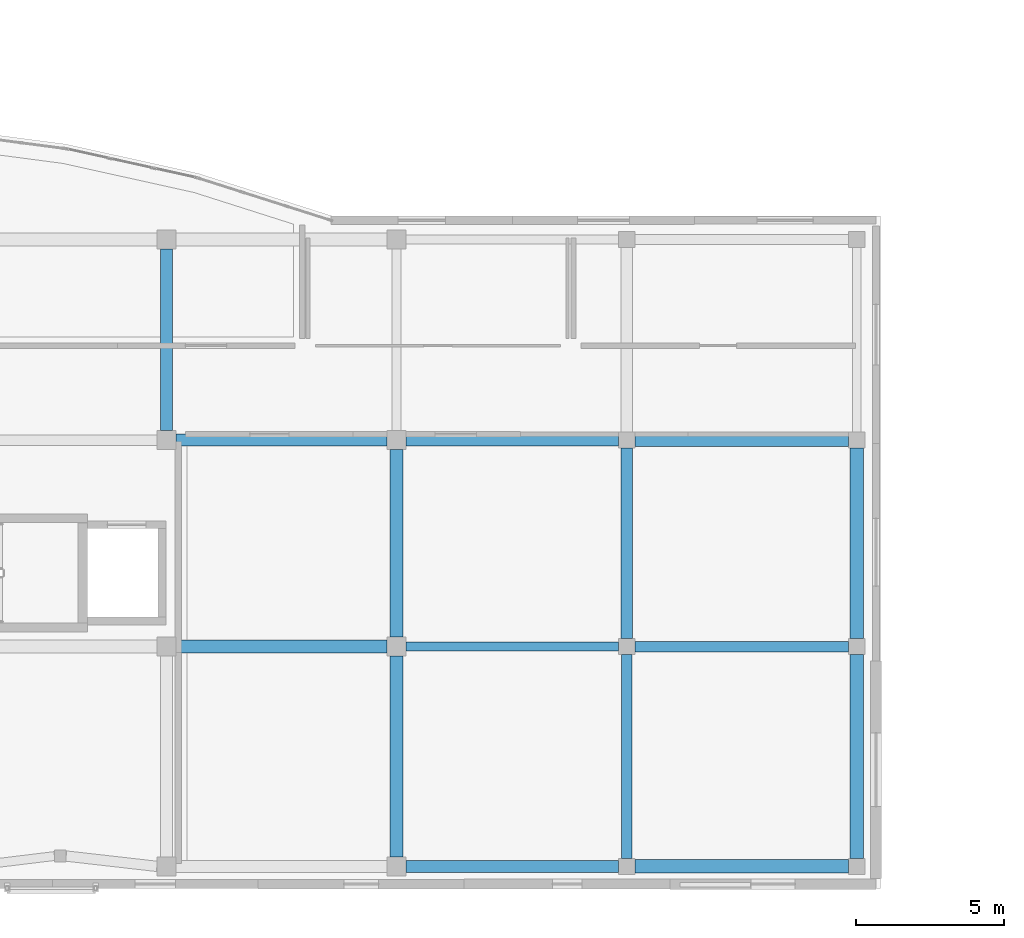
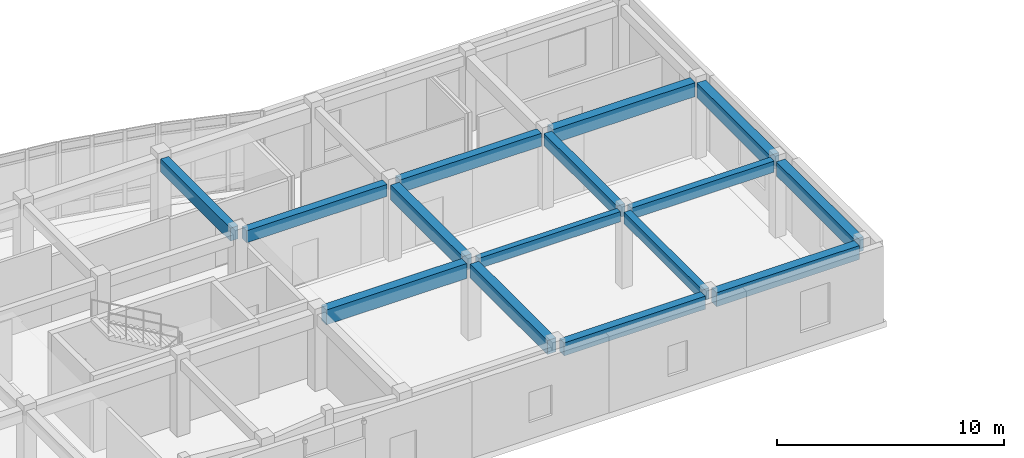
# One storey, part 50 of 142: 15 beams.
"""IFC4 building model written with IfcOpenShell, lengths in metres."""

from ifc_helpers import new_model, si_unit, direction, frame, origin, origin_2d, place, context, subcontext, project, spatial, rectangle, extrude, material, material_profile, profile_set, type_object, element, save


model = new_model("IFC4")

# Units and contexts
model_context = context("Model", 3, precision=1e-05, world=origin(), true_north=direction((0.0, 1.0)))
body_context = subcontext(model_context, "Body", "Model", "MODEL_VIEW")
ifc_project = project(units=[si_unit("LENGTHUNIT", "METRE"), si_unit("AREAUNIT", "SQUARE_METRE"), si_unit("VOLUMEUNIT", "CUBIC_METRE"), si_unit("PLANEANGLEUNIT", "RADIAN"), si_unit("MASSUNIT", "GRAM", prefix="KILO")], contexts=[model_context])

# Site, building, storey
site_placement = place(None, origin())
site = spatial("IfcSite", under=ifc_project, at=site_placement, CompositionType="ELEMENT")
building_placement = place(site_placement, origin())
building = spatial("IfcBuilding", under=site, at=building_placement, Name="Valcora Specialist Clinic", CompositionType="ELEMENT")
storey_placement = place(building_placement, frame((0.0, 0.0, 5.10009765625)))
storey = spatial("IfcBuildingStorey", under=building, at=storey_placement, Name="L01", CompositionType="ELEMENT", Elevation=5.10009765625)

# Beams
ifc_material = material(Name="Concrete C40/50", Category="concrete")
ifc_material_profile_1 = material_profile(ifc_material, rectangle(XDim=0.300048828125, YDim=0.550048828125, at=origin_2d()), Name="RC-BM-300X550")
ifc_profile_set_1 = profile_set([ifc_material_profile_1], Name="Concrete C40/50")
beam_type_1 = type_object("IfcBeamType", Name="TY-BM-RC300X550", PredefinedType="BEAM", material=ifc_profile_set_1)
beam_1_placement = place(storey_placement, frame((107.52490234375, 8.199951171875, 3.829833984375), z_axis=(1.0, 0.0, 0.0), x_axis=(0.0, 1.0, 0.0)))
element("IfcBeam", 1, at=beam_1_placement, inside=storey, type_object=beam_type_1, Name="Beam BM-L01-1309", PredefinedType="BEAM", context=body_context, shape_type="SweptSolid", body=[
    extrude(rectangle(XDim=0.300048828125, YDim=0.550048828125, at=origin_2d()), origin(), (0.0, 0.0, 1.0), 7.2001953125),
])
ifc_material_profile_2 = material_profile(ifc_material, rectangle(XDim=0.35009765625, YDim=0.60009765625, at=origin_2d()), Name="RC-BM-350X600")
ifc_profile_set_2 = profile_set([ifc_material_profile_2], Name="Concrete C40/50")
beam_type_2 = type_object("IfcBeamType", Name="TY-BM-RC350X600", PredefinedType="BEAM", material=ifc_profile_set_2)
beam_2_placement = place(storey_placement, frame((115.27490234375, 8.199951171875, 3.804931640625), z_axis=(1.0, 0.0, 0.0), x_axis=(0.0, 1.0, 0.0)))
element("IfcBeam", 2, at=beam_2_placement, inside=storey, type_object=beam_type_2, Name="Beam BM-L01-1310", PredefinedType="BEAM", context=body_context, shape_type="SweptSolid", body=[
    extrude(rectangle(XDim=0.35009765625, YDim=0.60009765625, at=origin_2d()), origin(), (0.0, 0.0, 1.0), 7.25),
])
beam_3_placement = place(storey_placement, frame((115.0, 1.02490234375, 3.804931640625), z_axis=(0.0, 1.0, 0.0), x_axis=(-1.0, 0.0, 0.0)))
element("IfcBeam", 3, at=beam_3_placement, inside=storey, type_object=beam_type_2, Name="Beam BM-L01-1350", PredefinedType="BEAM", context=body_context, shape_type="SweptSolid", body=[
    extrude(rectangle(XDim=0.35009765625, YDim=0.60009765625, at=origin_2d()), origin(), (0.0, 0.0, 1.0), 6.900146484375),
])
ifc_material_profile_3 = material_profile(ifc_material, rectangle(XDim=0.39990234375, YDim=0.64990234375, at=origin_2d()), Name="RC-BM-400X650")
ifc_profile_set_3 = profile_set([ifc_material_profile_3], Name="Concrete C40/50")
beam_type_3 = type_object("IfcBeamType", Name="TY-BM-RC400X650", PredefinedType="BEAM", material=ifc_profile_set_3)
beam_4_placement = place(storey_placement, frame((99.72509765625, 15.199951171875, 3.77978515625), z_axis=(1.0, 0.0, 0.0), x_axis=(0.0, 1.0, 0.0)))
element("IfcBeam", 4, at=beam_4_placement, inside=storey, type_object=beam_type_3, Name="Beam BM-L01-1317", PredefinedType="BEAM", context=body_context, shape_type="SweptSolid", body=[
    extrude(rectangle(XDim=0.39990234375, YDim=0.64990234375, at=origin_2d()), origin(), (0.0, 0.0, 1.0), 7.14990234375),
])
beam_5_placement = place(storey_placement, frame((115.0, 8.47509765625, 3.77978515625), z_axis=(0.0, 1.0, 0.0), x_axis=(-1.0, 0.0, 0.0)))
element("IfcBeam", 5, at=beam_5_placement, inside=storey, type_object=beam_type_3, Name="Beam BM-L01-1351", PredefinedType="BEAM", context=body_context, shape_type="SweptSolid", body=[
    extrude(rectangle(XDim=0.39990234375, YDim=0.64990234375, at=origin_2d()), origin(), (0.0, 0.0, 1.0), 6.449951171875),
])
ifc_material_profile_4 = material_profile(ifc_material, rectangle(XDim=0.39990234375, YDim=0.699951171875, at=origin_2d()), Name="RC-BM-400X700")
ifc_profile_set_4 = profile_set([ifc_material_profile_4], Name="Concrete C40/50")
beam_type_4 = type_object("IfcBeamType", Name="TY-BM-RC400X700", PredefinedType="BEAM", material=ifc_profile_set_4)
for number, where, z_axis, x_axis, name in (
    (6, (107.52490234375, 0.75, 3.7548828125), (1.0, 0.0, 0.0), (0.0, 1.0, 0.0), "Beam BM-L01-1300"),
    (7, (107.52490234375, 15.199951171875, 3.7548828125), (1.0, 0.0, 0.0), (0.0, 1.0, 0.0), "Beam BM-L01-1318"),
):
    element("IfcBeam", number, at=place(storey_placement, frame(where, z_axis=z_axis, x_axis=x_axis)), inside=storey, type_object=beam_type_4, Name=name, PredefinedType="BEAM", context=body_context, shape_type="SweptSolid", body=[
        extrude(rectangle(XDim=0.39990234375, YDim=0.699951171875, at=origin_2d()), origin(), (0.0, 0.0, 1.0), 7.2001953125),
    ])
beam_6_placement = place(storey_placement, frame((99.39990234375, 15.52490234375, 3.7548828125), z_axis=(0.0, 1.0, 0.0), x_axis=(-1.0, 0.0, 0.0)))
element("IfcBeam", 8, at=beam_6_placement, inside=storey, type_object=beam_type_4, Name="Beam BM-L01-1346", PredefinedType="BEAM", context=body_context, shape_type="SweptSolid", body=[
    extrude(rectangle(XDim=0.39990234375, YDim=0.699951171875, at=origin_2d()), origin(), (0.0, 0.0, 1.0), 6.150146484375),
])
ifc_material_profile_5 = material_profile(ifc_material, rectangle(XDim=0.449951171875, YDim=0.75, at=origin_2d()), Name="RC-BM-450X750")
ifc_profile_set_5 = profile_set([ifc_material_profile_5], Name="Concrete C40/50")
beam_type_5 = type_object("IfcBeamType", Name="TY-BM-RC450X750", PredefinedType="BEAM", material=ifc_profile_set_5)
for number, where, z_axis, x_axis, name in (
    (9, (115.27490234375, 0.75, 3.72998046875), (1.0, 0.0, 0.0), (0.0, 1.0, 0.0), "Beam BM-L01-1301"),
    (10, (115.27490234375, 15.199951171875, 3.72998046875), (1.0, 0.0, 0.0), (0.0, 1.0, 0.0), "Beam BM-L01-1319"),
):
    element("IfcBeam", number, at=place(storey_placement, frame(where, z_axis=z_axis, x_axis=x_axis)), inside=storey, type_object=beam_type_5, Name=name, PredefinedType="BEAM", context=body_context, shape_type="SweptSolid", body=[
        extrude(rectangle(XDim=0.449951171875, YDim=0.75, at=origin_2d()), origin(), (0.0, 0.0, 1.0), 7.25),
    ])
beam_7_placement = place(storey_placement, frame((107.199951171875, 1.074951171875, 3.72998046875), z_axis=(0.0, 1.0, 0.0), x_axis=(-1.0, 0.0, 0.0)))
element("IfcBeam", 11, at=beam_7_placement, inside=storey, type_object=beam_type_5, Name="Beam BM-L01-1347", PredefinedType="BEAM", context=body_context, shape_type="SweptSolid", body=[
    extrude(rectangle(XDim=0.449951171875, YDim=0.75, at=origin_2d()), origin(), (0.0, 0.0, 1.0), 6.800048828125),
])
beam_8_placement = place(storey_placement, frame((122.800048828125, 1.02490234375, 3.72998046875), z_axis=(0.0, 1.0, 0.0), x_axis=(-1.0, 0.0, 0.0)))
element("IfcBeam", 12, at=beam_8_placement, inside=storey, type_object=beam_type_5, Name="Beam BM-L01-1353", PredefinedType="BEAM", context=body_context, shape_type="SweptSolid", body=[
    extrude(rectangle(XDim=0.449951171875, YDim=0.75, at=origin_2d()), origin(), (0.0, 0.0, 1.0), 6.900146484375),
])
ifc_material_profile_6 = material_profile(ifc_material, rectangle(XDim=0.449951171875, YDim=0.800048828125, at=origin_2d()), Name="RC-BM-450X800")
ifc_profile_set_6 = profile_set([ifc_material_profile_6], Name="Concrete C40/50")
beam_type_6 = type_object("IfcBeamType", Name="TY-BM-RC450X800", PredefinedType="BEAM", material=ifc_profile_set_6)
beam_9_placement = place(storey_placement, frame((99.72509765625, 8.199951171875, 3.704833984375), z_axis=(1.0, 0.0, 0.0), x_axis=(0.0, 1.0, 0.0)))
element("IfcBeam", 13, at=beam_9_placement, inside=storey, type_object=beam_type_6, Name="Beam BM-L01-1308", PredefinedType="BEAM", context=body_context, shape_type="SweptSolid", body=[
    extrude(rectangle(XDim=0.449951171875, YDim=0.800048828125, at=origin_2d()), origin(), (0.0, 0.0, 1.0), 7.14990234375),
])
beam_10_placement = place(storey_placement, frame((107.199951171875, 8.52490234375, 3.704833984375), z_axis=(0.0, 1.0, 0.0), x_axis=(-1.0, 0.0, 0.0)))
element("IfcBeam", 14, at=beam_10_placement, inside=storey, type_object=beam_type_6, Name="Beam BM-L01-1348", PredefinedType="BEAM", context=body_context, shape_type="SweptSolid", body=[
    extrude(rectangle(XDim=0.449951171875, YDim=0.800048828125, at=origin_2d()), origin(), (0.0, 0.0, 1.0), 6.35009765625),
])
beam_11_placement = place(storey_placement, frame((122.800048828125, 8.47509765625, 3.704833984375), z_axis=(0.0, 1.0, 0.0), x_axis=(-1.0, 0.0, 0.0)))
element("IfcBeam", 15, at=beam_11_placement, inside=storey, type_object=beam_type_6, Name="Beam BM-L01-1354", PredefinedType="BEAM", context=body_context, shape_type="SweptSolid", body=[
    extrude(rectangle(XDim=0.449951171875, YDim=0.800048828125, at=origin_2d()), origin(), (0.0, 0.0, 1.0), 6.449951171875),
])

save(model, "model.ifc")
